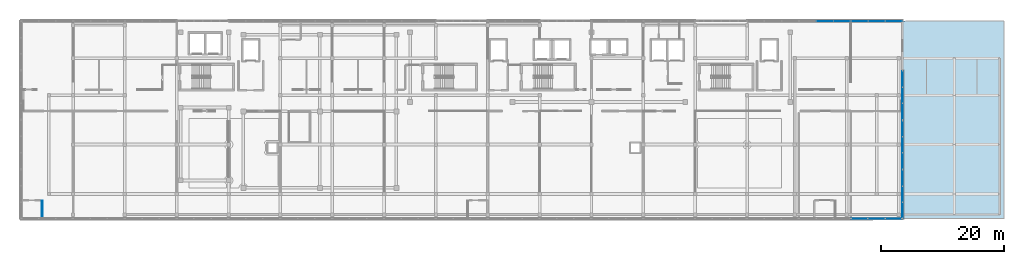
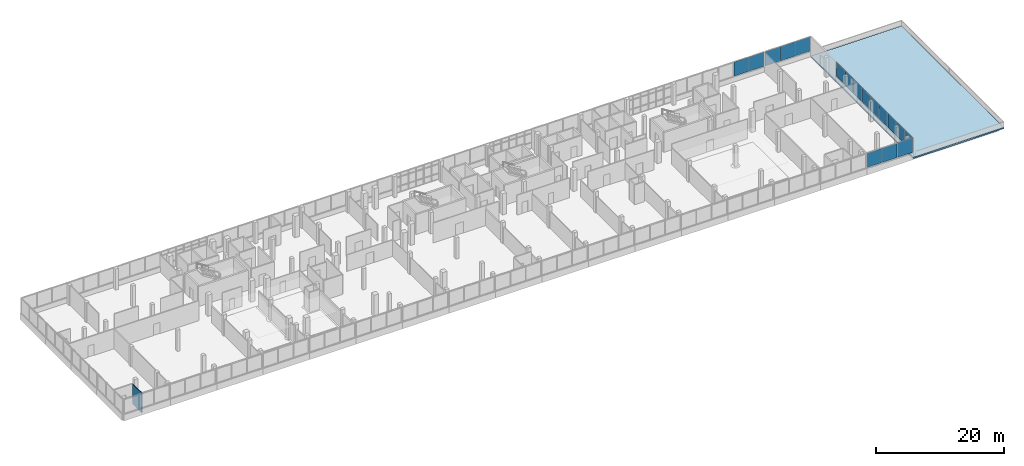
# One storey, part 54 of 66: 17 plates, 1 slab, 1 wall, 6 elements without a shape of their own.
"""IFC4 building model written with IfcOpenShell, lengths in metres."""

from ifc_helpers import new_model, si_unit, direction, frame, frame_2d, origin, origin_2d, place, context, subcontext, project, spatial, polyline, rectangle, outline, extrude, material, layer, layer_set, type_object, element, aggregate, save


model = new_model("IFC4")

# Units and contexts
model_context = context("Model", 3, precision=1e-05, world=origin(), true_north=direction((0.0, 1.0)))
body_context = subcontext(model_context, "Body", "Model", "MODEL_VIEW")
ifc_project = project(units=[si_unit("LENGTHUNIT", "METRE"), si_unit("AREAUNIT", "SQUARE_METRE"), si_unit("VOLUMEUNIT", "CUBIC_METRE"), si_unit("PLANEANGLEUNIT", "RADIAN"), si_unit("MASSUNIT", "GRAM", prefix="KILO")], contexts=[model_context])

# Site, building, storey
site_placement = place(None, origin())
site = spatial("IfcSite", under=ifc_project, at=site_placement, CompositionType="ELEMENT")
building_placement = place(site_placement, origin())
building = spatial("IfcBuilding", under=site, at=building_placement, Name="Selatvlak General Hospital", CompositionType="ELEMENT")
storey_placement = place(building_placement, frame((0.0, 0.0, 31.35009765625)))
storey = spatial("IfcBuildingStorey", under=building, at=storey_placement, Name="L07", CompositionType="ELEMENT", Elevation=31.35009765625)

# Curtain wall, plates
ifc_material_1 = material(Name="Solar-control Low-E double glazing", Category="glass")
curtain_wall_type_1 = type_object("IfcCurtainWallType", Name="CW-CW-02", PredefinedType="USERDEFINED", material=ifc_material_1)
curtain_wall_1_placement = place(storey_placement, origin())
curtain_wall_1 = element("IfcCurtainWall", 1, at=curtain_wall_1_placement, inside=storey, type_object=curtain_wall_type_1, Name="Glazed facade curtain wall CW-L07-0658", ObjectType="UNITISED CURTAIN WALL", PredefinedType="USERDEFINED")
ifc_layer_1 = layer(ifc_material_1, 0.028076171875, Name="Solar-control Low-E double glazing", Category="glass")
ifc_layer_set_1 = layer_set([ifc_layer_1], Name="Solar-control Low-E double glazing")
plate_type = type_object("IfcPlateType", Name="CWP-01", PredefinedType="CURTAIN_PANEL", material=ifc_layer_set_1)
plate_1_placement = place(storey_placement, frame((153.02392578125, 120.0, 1.0048828125), z_axis=(0.0, 0.0, 1.0), x_axis=(1.0, 0.0, 0.0)))
plate_1 = element("IfcPlate", 2, at=plate_1_placement, type_object=plate_type, Name="CW-02 panel 2.1", PredefinedType="CURTAIN_PANEL", context=body_context, shape_type="SweptSolid", body=[
    extrude(rectangle(XDim=2.708251953125, YDim=0.028076171875, at=origin_2d()), origin(), (0.0, 0.0, 1.0), 2.715087890625),
])
plate_2_placement = place(storey_placement, frame((155.781005859375, 120.0, 1.0048828125), z_axis=(0.0, 0.0, 1.0), x_axis=(1.0, 0.0, 0.0)))
plate_2 = element("IfcPlate", 3, at=plate_2_placement, type_object=plate_type, Name="CW-02 panel 3.1", PredefinedType="CURTAIN_PANEL", context=body_context, shape_type="SweptSolid", body=[
    extrude(rectangle(XDim=2.67578125, YDim=0.028076171875, at=origin_2d()), origin(), (0.0, 0.0, 1.0), 2.715087890625),
])
aggregate(curtain_wall_1, [plate_1, plate_2])

curtain_wall_type_2 = type_object("IfcCurtainWallType", Name="CW-CW-01", PredefinedType="USERDEFINED", material=ifc_material_1)
curtain_wall_2_placement = place(storey_placement, origin())
curtain_wall_2 = element("IfcCurtainWall", 4, at=curtain_wall_2_placement, inside=storey, type_object=curtain_wall_type_2, Name="Glazed facade curtain wall CW-L07-0659", ObjectType="UNITISED CURTAIN WALL", PredefinedType="USERDEFINED")
plate_3_placement = place(storey_placement, frame((158.6669921875, 120.0, 1.0048828125), z_axis=(0.0, 0.0, 1.0), x_axis=(1.0, 0.0, 0.0)))
plate_3 = element("IfcPlate", 5, at=plate_3_placement, type_object=plate_type, Name="CW-01 panel 1.1", PredefinedType="CURTAIN_PANEL", context=body_context, shape_type="SweptSolid", body=[
    extrude(rectangle(XDim=2.67578125, YDim=0.028076171875, at=origin_2d()), origin(), (0.0, 0.0, 1.0), 2.715087890625),
])
plate_4_placement = place(storey_placement, frame((161.424072265625, 120.0, 1.0048828125), z_axis=(0.0, 0.0, 1.0), x_axis=(1.0, 0.0, 0.0)))
plate_4 = element("IfcPlate", 6, at=plate_4_placement, type_object=plate_type, Name="CW-01 panel 2.1", PredefinedType="CURTAIN_PANEL", context=body_context, shape_type="SweptSolid", body=[
    extrude(rectangle(XDim=2.708251953125, YDim=0.028076171875, at=origin_2d()), origin(), (0.0, 0.0, 1.0), 2.715087890625),
])
plate_5_placement = place(storey_placement, frame((164.18115234375, 120.0, 1.0048828125), z_axis=(0.0, 0.0, 1.0), x_axis=(1.0, 0.0, 0.0)))
plate_5 = element("IfcPlate", 7, at=plate_5_placement, type_object=plate_type, Name="CW-01 panel 3.1", PredefinedType="CURTAIN_PANEL", context=body_context, shape_type="SweptSolid", body=[
    extrude(rectangle(XDim=2.67578125, YDim=0.028076171875, at=origin_2d()), origin(), (0.0, 0.0, 1.0), 2.715087890625),
])
aggregate(curtain_wall_2, [plate_3, plate_4, plate_5])

curtain_wall_3_placement = place(storey_placement, origin())
curtain_wall_3 = element("IfcCurtainWall", 8, at=curtain_wall_3_placement, inside=storey, type_object=curtain_wall_type_1, Name="Glazed facade curtain wall CW-L07-0660", ObjectType="UNITISED CURTAIN WALL", PredefinedType="USERDEFINED")
plate_6_placement = place(storey_placement, frame((165.59912109375, 110.640625, 1.0048828125), z_axis=(0.0, 0.0, 1.0), x_axis=(0.0, -1.0, 0.0)))
plate_6 = element("IfcPlate", 9, at=plate_6_placement, type_object=plate_type, Name="CW-02 panel 1.1", PredefinedType="CURTAIN_PANEL", context=body_context, shape_type="SweptSolid", body=[
    extrude(rectangle(XDim=2.558837890625, YDim=0.028076171875, at=origin_2d()), origin(), (0.0, 0.0, 1.0), 2.715087890625),
])
plate_7_placement = place(storey_placement, frame((165.59912109375, 108.00048828125, 1.0048828125), z_axis=(0.0, 0.0, 1.0), x_axis=(0.0, -1.0, 0.0)))
plate_7 = element("IfcPlate", 10, at=plate_7_placement, type_object=plate_type, Name="CW-02 panel 2.1", PredefinedType="CURTAIN_PANEL", context=body_context, shape_type="SweptSolid", body=[
    extrude(rectangle(XDim=2.59130859375, YDim=0.028076171875, at=origin_2d()), origin(), (0.0, 0.0, 1.0), 2.715087890625),
])
plate_8_placement = place(storey_placement, frame((165.59912109375, 105.3603515625, 1.0048828125), z_axis=(0.0, 0.0, 1.0), x_axis=(0.0, -1.0, 0.0)))
plate_8 = element("IfcPlate", 11, at=plate_8_placement, type_object=plate_type, Name="CW-02 panel 3.1", PredefinedType="CURTAIN_PANEL", context=body_context, shape_type="SweptSolid", body=[
    extrude(rectangle(XDim=2.558837890625, YDim=0.028076171875, at=origin_2d()), origin(), (0.0, 0.0, 1.0), 2.715087890625),
])
aggregate(curtain_wall_3, [plate_6, plate_7, plate_8])

curtain_wall_4_placement = place(storey_placement, origin())
curtain_wall_4 = element("IfcCurtainWall", 12, at=curtain_wall_4_placement, inside=storey, type_object=curtain_wall_type_2, Name="Glazed facade curtain wall CW-L07-0661", ObjectType="UNITISED CURTAIN WALL", PredefinedType="USERDEFINED")
plate_9_placement = place(storey_placement, frame((165.59912109375, 102.599853515625, 1.0048828125), z_axis=(0.0, 0.0, 1.0), x_axis=(0.000126262633, -0.999999992029, 0.0)))
plate_9 = element("IfcPlate", 13, at=plate_9_placement, type_object=plate_type, Name="CW-01 panel 1.1", PredefinedType="CURTAIN_PANEL", context=body_context, shape_type="SweptSolid", body=[
    extrude(rectangle(XDim=2.54248046875, YDim=0.028076171875, at=origin_2d()), origin(), (0.0, 0.0, 1.0), 2.715087890625),
])
plate_10_placement = place(storey_placement, frame((165.599609375, 99.97607421875, 1.0048828125), z_axis=(0.0, 0.0, 1.0), x_axis=(0.000126262633, -0.999999992029, 0.0)))
plate_10 = element("IfcPlate", 14, at=plate_10_placement, type_object=plate_type, Name="CW-01 panel 2.1", PredefinedType="CURTAIN_PANEL", context=body_context, shape_type="SweptSolid", body=[
    extrude(rectangle(XDim=2.574951171875, YDim=0.028076171875, at=origin_2d()), origin(), (0.0, 0.0, 1.0), 2.715087890625),
])
plate_11_placement = place(storey_placement, frame((165.599853515625, 97.352294921875, 1.0048828125), z_axis=(0.0, 0.0, 1.0), x_axis=(0.000126262633, -0.999999992029, 0.0)))
plate_11 = element("IfcPlate", 15, at=plate_11_placement, type_object=plate_type, Name="CW-01 panel 3.1", PredefinedType="CURTAIN_PANEL", context=body_context, shape_type="SweptSolid", body=[
    extrude(rectangle(XDim=2.54248046875, YDim=0.028076171875, at=origin_2d()), origin(), (0.0, 0.0, 1.0), 2.715087890625),
])
aggregate(curtain_wall_4, [plate_9, plate_10, plate_11])

curtain_wall_5_placement = place(storey_placement, origin())
curtain_wall_5 = element("IfcCurtainWall", 16, at=curtain_wall_5_placement, inside=storey, type_object=curtain_wall_type_1, Name="Glazed facade curtain wall CW-L07-0662", ObjectType="UNITISED CURTAIN WALL", PredefinedType="USERDEFINED")
plate_12_placement = place(storey_placement, frame((165.60009765625, 94.599853515625, 1.0048828125), z_axis=(0.0, 0.0, 1.0), x_axis=(0.0, -1.0, 0.0)))
plate_12 = element("IfcPlate", 17, at=plate_12_placement, type_object=plate_type, Name="CW-02 panel 1.1", PredefinedType="CURTAIN_PANEL", context=body_context, shape_type="SweptSolid", body=[
    extrude(rectangle(XDim=2.54248046875, YDim=0.028076171875, at=origin_2d()), origin(), (0.0, 0.0, 1.0), 2.715087890625),
])
plate_13_placement = place(storey_placement, frame((165.60009765625, 91.97607421875, 1.0048828125), z_axis=(0.0, 0.0, 1.0), x_axis=(0.0, -1.0, 0.0)))
plate_13 = element("IfcPlate", 18, at=plate_13_placement, type_object=plate_type, Name="CW-02 panel 2.1", PredefinedType="CURTAIN_PANEL", context=body_context, shape_type="SweptSolid", body=[
    extrude(rectangle(XDim=2.574951171875, YDim=0.028076171875, at=origin_2d()), origin(), (0.0, 0.0, 1.0), 2.715087890625),
])
plate_14_placement = place(storey_placement, frame((165.60009765625, 89.352294921875, 1.0048828125), z_axis=(0.0, 0.0, 1.0), x_axis=(0.0, -1.0, 0.0)))
plate_14 = element("IfcPlate", 19, at=plate_14_placement, type_object=plate_type, Name="CW-02 panel 3.1", PredefinedType="CURTAIN_PANEL", context=body_context, shape_type="SweptSolid", body=[
    extrude(rectangle(XDim=2.54248046875, YDim=0.028076171875, at=origin_2d()), origin(), (0.0, 0.0, 1.0), 2.715087890625),
])
aggregate(curtain_wall_5, [plate_12, plate_13, plate_14])

curtain_wall_6_placement = place(storey_placement, origin())
curtain_wall_6 = element("IfcCurtainWall", 20, at=curtain_wall_6_placement, inside=storey, type_object=curtain_wall_type_2, Name="Glazed facade curtain wall CW-L07-0663", ObjectType="UNITISED CURTAIN WALL", PredefinedType="USERDEFINED")
plate_15_placement = place(storey_placement, frame((164.132080078125, 88.0009765625, 1.0048828125), z_axis=(0.0, 0.0, 1.0), x_axis=(-1.0, 0.0, 0.0)))
plate_15 = element("IfcPlate", 21, at=plate_15_placement, type_object=plate_type, Name="CW-01 panel 1.1", PredefinedType="CURTAIN_PANEL", context=body_context, shape_type="SweptSolid", body=[
    extrude(rectangle(XDim=2.67578125, YDim=0.028076171875, at=origin_2d()), origin(), (0.0, 0.0, 1.0), 2.715087890625),
])
plate_16_placement = place(storey_placement, frame((161.375, 88.0009765625, 1.0048828125), z_axis=(0.0, 0.0, 1.0), x_axis=(-1.0, 0.0, 0.0)))
plate_16 = element("IfcPlate", 22, at=plate_16_placement, type_object=plate_type, Name="CW-01 panel 2.1", PredefinedType="CURTAIN_PANEL", context=body_context, shape_type="SweptSolid", body=[
    extrude(rectangle(XDim=2.708251953125, YDim=0.028076171875, at=origin_2d()), origin(), (0.0, 0.0, 1.0), 2.715087890625),
])
plate_17_placement = place(storey_placement, frame((158.617919921875, 88.0009765625, 1.0048828125), z_axis=(0.0, 0.0, 1.0), x_axis=(-1.0, 0.0, 0.0)))
plate_17 = element("IfcPlate", 23, at=plate_17_placement, type_object=plate_type, Name="CW-01 panel 3.1", PredefinedType="CURTAIN_PANEL", context=body_context, shape_type="SweptSolid", body=[
    extrude(rectangle(XDim=2.67578125, YDim=0.028076171875, at=origin_2d()), origin(), (0.0, 0.0, 1.0), 2.715087890625),
])
aggregate(curtain_wall_6, [plate_15, plate_16, plate_17])

# Slab
ifc_material_2 = material(Name="Concrete C40/50", Category="concrete")
ifc_layer_2 = layer(ifc_material_2, 0.27197265625, Name="Concrete C40/50", Category="concrete")
ifc_layer_set_2 = layer_set([ifc_layer_2], Name="Concrete C40/50")
slab_type = type_object("IfcSlabType", Name="SLAB-SL-RF8", PredefinedType="ROOF", material=ifc_layer_set_2)
slab_placement = place(storey_placement, frame((0.0, 0.0, -0.272216796875)))
element("IfcSlab", 24, at=slab_placement, inside=storey, type_object=slab_type, Name="L07 roof slab ROOF-V5-TERR7", PredefinedType="ROOF", context=body_context, shape_type="SweptSolid", body=[
    extrude(outline(polyline([(182.0, 120.0), (182.0, 88.0), (165.60791015625, 88.0), (165.60791015625, 120.0), (182.0, 120.0)])), origin(), (0.0, 0.0, 1.0), 0.272216796875),
])

# Wall
ifc_material_3 = material(Name="Moisture-resistant clinical partition")
ifc_layer_3 = layer(ifc_material_3, 0.135009765625, Name="Moisture-resistant clinical partition")
ifc_layer_set_3 = layer_set([ifc_layer_3], Name="Moisture-resistant clinical partition")
wall_type = type_object("IfcWallType", Name="WALL-PT-04", PredefinedType="PARTITIONING", material=ifc_layer_set_3)
wall_placement = place(storey_placement, frame((26.199951171875, 88.0419921875, 0.0), z_axis=(0.0, 0.0, 1.0), x_axis=(0.0, 1.0, 0.0)))
element("IfcWall", 25, at=wall_placement, inside=storey, type_object=wall_type, Name="L07 clinical partition PT-L07-2078", PredefinedType="PARTITIONING", context=body_context, shape_type="SweptSolid", body=[
    extrude(rectangle(XDim=2.89794921875, YDim=0.135009765625, at=frame_2d((1.448974609375, 0.0))), origin(), (0.0, 0.0, 1.0), 3.784912109375),
])

save(model, "model.ifc")
